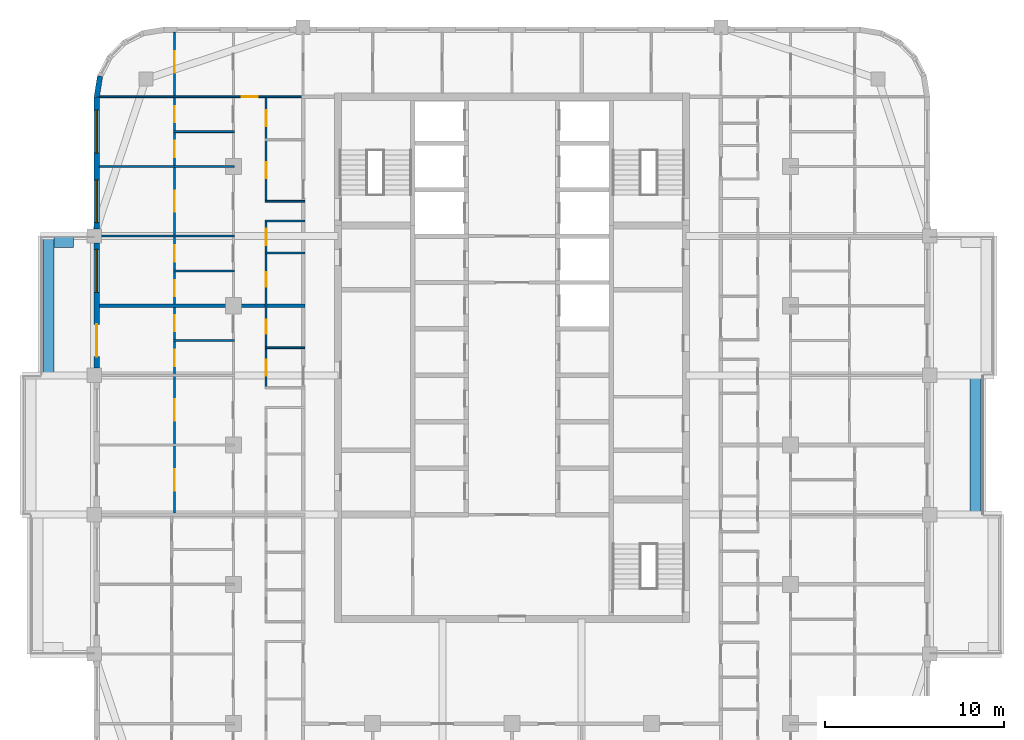
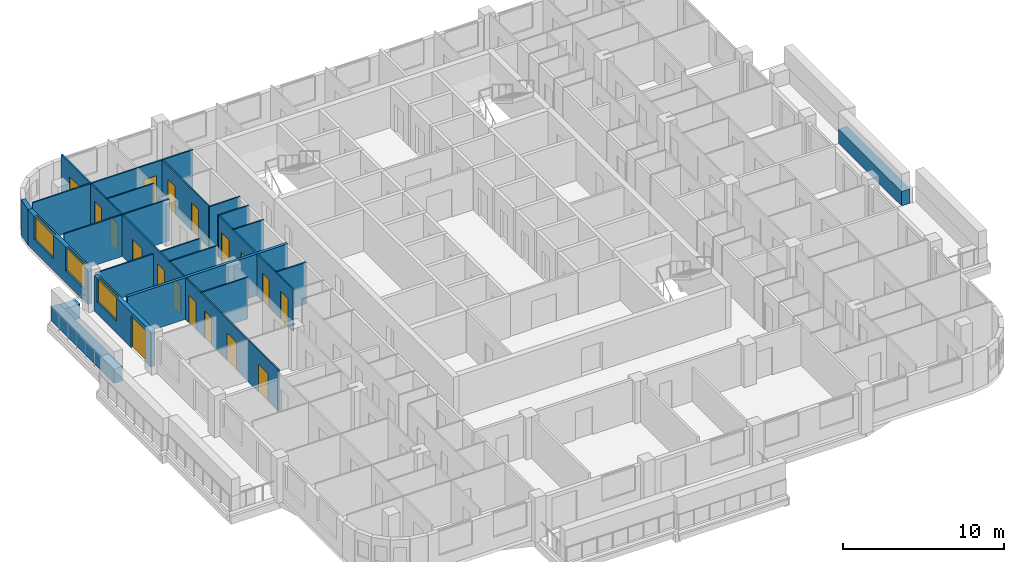
# One storey, part 8 of 16: 20 walls, 18 doors, 3 windows, 21 openings.
"""IFC4 building model written with IfcOpenShell, lengths in metres."""

import ifcopenshell
import ifcopenshell.guid

model = None  # the IFC model being written
_history = None  # IfcOwnerHistory: only IFC2X3 demands one
_inside = {}  # id of a spatial element -> (the spatial element, [elements in it])
_under = {}  # id of a project, library or spatial element -> (it, [spatial elements below it])
_declared = {}  # id of a project -> (the project, [libraries it declares])
_typed = {}  # id of a type object -> (the type object, [elements of that type])
_made_of = {}  # id of a material, layer set ... -> (it, [elements and type objects made of it])


def new_model(schema):
    """Start an empty IFC model of exactly this schema.

    Asked for "IFC4X3", IfcOpenShell would pick the latest addendum, in which some entities
    have other attributes; the version numbers below select the first issue.
    IFC2X3 requires an IfcOwnerHistory on every rooted entity: one is made here for all.
    """
    global model, _history
    if schema == "IFC4X3":
        model = ifcopenshell.file(schema_version=(4, 3, 0, 0))
    else:
        model = ifcopenshell.file(schema=schema)
    _inside.clear()
    _under.clear()
    _declared.clear()
    _typed.clear()
    _made_of.clear()
    _history = None
    if model.schema == "IFC2X3":
        org = make("IfcOrganization", Name="unknown")
        user = make(
            "IfcPersonAndOrganization",
            ThePerson=make("IfcPerson", FamilyName="unknown"),
            TheOrganization=org,
        )
        app = make(
            "IfcApplication",
            ApplicationDeveloper=org,
            Version="unknown",
            ApplicationFullName="unknown",
            ApplicationIdentifier="unknown",
        )
        _history = make(
            "IfcOwnerHistory",
            OwningUser=user,
            OwningApplication=app,
            ChangeAction="ADDED",
            CreationDate=0,
        )
    return model


def make(cls, **values):
    """One entity of the class cls with the attributes given. An attribute that is None is left unset."""
    return model.create_entity(
        cls, **{name: value for name, value in values.items() if value is not None}
    )


def rooted(cls, **values):
    """An entity with a GlobalId (a new one), such as an element, a storey or a relation."""
    return make(cls, GlobalId=ifcopenshell.guid.new(), OwnerHistory=_history, **values)


def si_unit(unit_type, name, prefix=None):
    """IfcSIUnit, for example si_unit("LENGTHUNIT", "METRE", prefix="MILLI")."""
    return make("IfcSIUnit", UnitType=unit_type, Prefix=prefix, Name=name)


def assignment(units):
    """IfcUnitAssignment: the units of a project."""
    return None if units is None else make("IfcUnitAssignment", Units=units)


def point(xyz):
    """IfcCartesianPoint."""
    return None if xyz is None else make("IfcCartesianPoint", Coordinates=xyz)


def direction(xyz):
    """IfcDirection."""
    return None if xyz is None else make("IfcDirection", DirectionRatios=xyz)


def frame(location, z_axis=None, x_axis=None):
    """IfcAxis2Placement3D, a coordinate frame: its origin and axes. An axis left out is left unset."""
    return make(
        "IfcAxis2Placement3D",
        Location=point(location),
        Axis=direction(z_axis),
        RefDirection=direction(x_axis),
    )


def frame_2d(location, x_axis=None):
    """IfcAxis2Placement2D, a coordinate frame in the plane: its origin and x axis."""
    return make(
        "IfcAxis2Placement2D", Location=point(location), RefDirection=direction(x_axis)
    )


def origin():
    """The frame at (0, 0, 0) with its axes left unset."""
    return frame((0.0, 0.0, 0.0))


def place(relative_to, where):
    """IfcLocalPlacement: puts the frame where relative to a parent placement (None: the world)."""
    return make(
        "IfcLocalPlacement", PlacementRelTo=relative_to, RelativePlacement=where
    )


def context(
    kind, dimensions, precision=None, world=None, true_north=None, identifier=None
):
    """IfcGeometricRepresentationContext, for example the 3D "Model" context."""
    return make(
        "IfcGeometricRepresentationContext",
        ContextIdentifier=identifier,
        ContextType=kind,
        CoordinateSpaceDimension=dimensions,
        Precision=precision,
        WorldCoordinateSystem=world,
        TrueNorth=true_north,
    )


def subcontext(parent, identifier, kind, view, scale=None):
    """IfcGeometricRepresentationSubContext, for example "Body" below "Model"."""
    return make(
        "IfcGeometricRepresentationSubContext",
        ContextIdentifier=identifier,
        ContextType=kind,
        ParentContext=parent,
        TargetScale=scale,
        TargetView=view,
    )


def project(units=None, contexts=None):
    """IfcProject with its units and contexts."""
    return rooted(
        "IfcProject",
        Name="project",
        RepresentationContexts=contexts,
        UnitsInContext=assignment(units),
    )


def spatial(cls, under=None, at=None, **own):
    """A site, building, storey or space (cls), placed at a placement, below another one or the project."""
    s = rooted(cls, ObjectPlacement=at, **own)
    if under is not None:
        _under.setdefault(under.id(), (under, []))[1].append(s)
    return s


def profile(cls, at=None, kind="AREA", **sizes):
    """A parametric profile (cls). Its sizes go by their IFC names, for example OverallWidth=200.0."""
    return make(cls, ProfileType=kind, Position=at, **sizes)


def rectangle(**sizes):
    """IfcRectangleProfileDef."""
    return profile("IfcRectangleProfileDef", **sizes)


def extrude(swept, where, along, depth):
    """IfcExtrudedAreaSolid: the profile swept, set in the frame where, extruded along a direction by depth."""
    return make(
        "IfcExtrudedAreaSolid",
        SweptArea=swept,
        Position=where,
        ExtrudedDirection=direction(along),
        Depth=depth,
    )


def shape(context_of_items, identifier, shape_type, items):
    """IfcShapeRepresentation: the items that make up one representation, for example the "Body"."""
    return make(
        "IfcShapeRepresentation",
        ContextOfItems=context_of_items,
        RepresentationIdentifier=identifier,
        RepresentationType=shape_type,
        Items=items,
    )


def material(Name=None, Category=None):
    """IfcMaterial."""
    return make("IfcMaterial", Name=Name, Category=Category)


def layer(
    of_material, thickness, ventilated=None, Name=None, Category=None, Priority=None
):
    """IfcMaterialLayer: one layer of a wall or slab, of a material (None: an air gap)."""
    return make(
        "IfcMaterialLayer",
        Material=of_material,
        LayerThickness=thickness,
        IsVentilated=ventilated,
        Name=Name,
        Category=Category,
        Priority=Priority,
    )


def layer_set(layers, Name=None):
    """IfcMaterialLayerSet."""
    return make("IfcMaterialLayerSet", MaterialLayers=layers, LayerSetName=Name)


def made_of(thing, what):
    """Note that an element or type object is made of a material, layer set ...; save() writes the relation."""
    if what is not None:
        _made_of.setdefault(what.id(), (what, []))[1].append(thing)
    return thing


def type_object(cls, material=None, **own):
    """A type object (cls), such as IfcWallType, which elements share."""
    return made_of(rooted(cls, **own), material)


def element(
    cls,
    number,
    at=None,
    inside=None,
    cuts=None,
    type_object=None,
    material=None,
    context=None,
    identifier="Body",
    shape_type=None,
    held_by="IfcProductDefinitionShape",
    body=None,
    shapes=None,
    **own,
):
    """One element of the class cls, such as IfcWall. Its Tag is "e" and its number.

    at: its placement. inside: the storey or other place that contains it. cuts: it is an
    opening in that element (IfcRelVoidsElement). A single representation is given by context,
    identifier, shape_type and body (its items); several are given by shapes. held_by: the class
    of the entity that holds the representations. save() writes the other relations.
    """
    e = rooted(cls, Tag="e%d" % number, ObjectPlacement=at, **own)
    if body is not None:
        shapes = [shape(context, identifier, shape_type, body)]
    if shapes is not None:
        e.Representation = make(held_by, Representations=shapes)
    if inside is not None:
        _inside.setdefault(inside.id(), (inside, []))[1].append(e)
    if cuts is not None:
        rooted(
            "IfcRelVoidsElement", RelatingBuildingElement=cuts, RelatedOpeningElement=e
        )
    if type_object is not None:
        _typed.setdefault(type_object.id(), (type_object, []))[1].append(e)
    return made_of(e, material)


def fill(opening, filler):
    """IfcRelFillsElement: the door or window that sits in an opening."""
    return rooted(
        "IfcRelFillsElement",
        RelatingOpeningElement=opening,
        RelatedBuildingElement=filler,
    )


def aggregate(whole, parts):
    """IfcRelAggregates: a whole, such as a stair, and the parts it consists of."""
    return rooted("IfcRelAggregates", RelatingObject=whole, RelatedObjects=parts)


def save(model, path):
    """Write the relations noted so far, then the file.

    IfcRelAggregates (storeys below a building ...), IfcRelContainedInSpatialStructure (elements
    in a storey), IfcRelDefinesByType, IfcRelAssociatesMaterial and IfcRelDeclares: one each for
    every whole, place, type object, material and project.
    """
    for whole, parts in _under.values():
        aggregate(whole, parts)
    for where, things in _inside.values():
        rooted(
            "IfcRelContainedInSpatialStructure",
            RelatedElements=things,
            RelatingStructure=where,
        )
    for kind, things in _typed.values():
        rooted("IfcRelDefinesByType", RelatedObjects=things, RelatingType=kind)
    for what, things in _made_of.values():
        rooted("IfcRelAssociatesMaterial", RelatedObjects=things, RelatingMaterial=what)
    for by, libraries in _declared.values():
        rooted("IfcRelDeclares", RelatingContext=by, RelatedDefinitions=libraries)
    model.write(path)


model = new_model("IFC4")

# Units and contexts
model_context = context("Model", 3, precision=1e-05, world=origin(), true_north=direction((0.0, 1.0)))
body_context = subcontext(model_context, "Body", "Model", "MODEL_VIEW")
ifc_project = project(units=[si_unit("LENGTHUNIT", "METRE"), si_unit("AREAUNIT", "SQUARE_METRE"), si_unit("VOLUMEUNIT", "CUBIC_METRE"), si_unit("PLANEANGLEUNIT", "RADIAN"), si_unit("MASSUNIT", "GRAM", prefix="KILO")], contexts=[model_context])

# Site, building, storey
site_placement = place(None, origin())
site = spatial("IfcSite", under=ifc_project, at=site_placement, CompositionType="ELEMENT")
building_placement = place(site_placement, origin())
building = spatial("IfcBuilding", under=site, at=building_placement, Name="Ludao Terraces", CompositionType="ELEMENT")
storey_placement = place(building_placement, frame((0.0, 0.0, 214.300048828125)))
storey = spatial("IfcBuildingStorey", under=building, at=storey_placement, Name="L58", CompositionType="ELEMENT", Elevation=214.300048828125)

# Walls
ifc_material_1 = material(Name="Concrete C40", Category="concrete")
ifc_layer_1 = layer(ifc_material_1, 0.60009765625)
ifc_layer_set_1 = layer_set([ifc_layer_1], Name="ENV Planter trough 600")
wall_type_1 = type_object("IfcWallType", Name="ENV Planter trough 600", PredefinedType="USERDEFINED", material=ifc_layer_set_1)
wall_1_placement = place(storey_placement, frame((110.949951171875, 61.10009765625, 0.0), z_axis=(0.0, 0.0, 1.0), x_axis=(0.0, 1.0, 0.0)))
element("IfcWall", 1, at=wall_1_placement, inside=storey, type_object=wall_type_1, Name="PL-L58-E2", ObjectType="PLANTER", PredefinedType="USERDEFINED", context=body_context, shape_type="SweptSolid", body=[
    extrude(rectangle(XDim=7.7998046875, YDim=0.60009765625, at=frame_2d((3.89990234375, 0.0))), origin(), (0.0, 0.0, 1.0), 1.099853515625),
])
wall_2_placement = place(storey_placement, frame((59.050048828125, 68.89990234375, 0.0), z_axis=(0.0, 0.0, 1.0), x_axis=(0.0, 1.0, 0.0)))
element("IfcWall", 2, at=wall_2_placement, inside=storey, type_object=wall_type_1, Name="PL-L58-W3", ObjectType="PLANTER", PredefinedType="USERDEFINED", context=body_context, shape_type="SweptSolid", body=[
    extrude(rectangle(XDim=7.800048828125, YDim=0.60009765625, at=frame_2d((3.89990234375, 0.0))), origin(), (0.0, 0.0, 1.0), 1.099853515625),
])
wall_3_placement = place(storey_placement, frame((59.35009765625, 76.35009765625, 0.0), z_axis=(0.0, 0.0, 1.0), x_axis=(1.0, 0.0, 0.0)))
element("IfcWall", 3, at=wall_3_placement, inside=storey, type_object=wall_type_1, Name="PL-L58-W3-SB", ObjectType="PLANTER", PredefinedType="USERDEFINED", context=body_context, shape_type="SweptSolid", body=[
    extrude(rectangle(XDim=1.099853515625, YDim=0.60009765625, at=frame_2d((0.5498046875, 0.0))), origin(), (0.0, 0.0, 1.0), 1.099853515625),
])

# Wall, openings, door, window
ifc_material_2 = material(Name="Granite cladding", Category="masonry")
ifc_layer_2 = layer(ifc_material_2, 0.0400390625, Category="stone")
ifc_material_3 = material(Name="Mineral wool")
ifc_layer_3 = layer(ifc_material_3, 0.06005859375)
ifc_layer_4 = layer(ifc_material_1, 0.199951171875, Category="concrete")
ifc_layer_set_2 = layer_set([ifc_layer_2, ifc_layer_3, ifc_layer_4], Name="ENV Stone-clad wall 300")
wall_type_2 = type_object("IfcWallType", Name="ENV Stone-clad wall 300", PredefinedType="SOLIDWALL", material=ifc_layer_set_2)
wall_4_placement = place(storey_placement, frame((61.75, 69.300048828125, 0.0), z_axis=(0.0, 0.0, 1.0), x_axis=(0.0, 1.0, 0.0)))
wall_4 = element("IfcWall", 4, at=wall_4_placement, inside=storey, type_object=wall_type_2, Name="EW-L58-W4", PredefinedType="SOLIDWALL", context=body_context, shape_type="SweptSolid", body=[
    extrude(rectangle(XDim=7.0, YDim=0.300048828125, at=frame_2d((3.5, 0.0))), origin(), (0.0, 0.0, 1.0), 2.699951171875),
])
opening_1_placement = place(wall_4_placement, frame((0.64990234375, 0.0, 0.0)))
opening_1 = element("IfcOpeningElement", 5, at=opening_1_placement, cuts=wall_4, Name="Opening BD", PredefinedType="OPENING", context=body_context, shape_type="SweptSolid", body=[
    extrude(rectangle(XDim=1.800048828125, YDim=2.39990234375, at=frame_2d((0.89990234375, 1.199951171875))), frame((0.0, 0.16015625, 0.0), z_axis=(0.0, -1.0, 0.0), x_axis=(1.0, 0.0, 0.0)), (0.0, 0.0, 1.0), 0.320068359375),
])
opening_2_placement = place(wall_4_placement, frame((4.25, 0.0, 0.89990234375)))
opening_2 = element("IfcOpeningElement", 6, at=opening_2_placement, cuts=wall_4, Name="Opening W1", PredefinedType="OPENING", context=body_context, shape_type="SweptSolid", body=[
    extrude(rectangle(XDim=2.39990234375, YDim=1.800048828125, at=frame_2d((1.199951171875, 0.89990234375))), frame((0.0, 0.16015625, 0.0), z_axis=(0.0, -1.0, 0.0), x_axis=(1.0, 0.0, 0.0)), (0.0, 0.0, 1.0), 0.320068359375),
])
ifc_material_4 = material(Name="Aluminium glazed door", Category="aluminium")
ifc_layer_5 = layer(ifc_material_4, 0.06005859375)
ifc_layer_set_3 = layer_set([ifc_layer_5], Name="ENV Balcony door BD 1800x2400")
door_type_1 = type_object("IfcDoorType", Name="ENV Balcony door BD 1800x2400", OperationType="DOUBLE_DOOR_SINGLE_SWING", PredefinedType="DOOR", material=ifc_layer_set_3)
door_1_placement = place(opening_1_placement, origin())
door_1 = element("IfcDoor", 7, at=door_1_placement, inside=storey, type_object=door_type_1, Name="BD-L58-W4-1", OperationType="DOUBLE_DOOR_SINGLE_SWING", OverallHeight=2.39990234375, OverallWidth=1.800048828125, PredefinedType="DOOR", context=body_context, shape_type="SweptSolid", body=[
    extrude(rectangle(XDim=1.800048828125, YDim=2.39990234375, at=frame_2d((0.89990234375, 1.199951171875))), frame((0.0, 0.02490234375, 0.0), z_axis=(0.0, -1.0, 0.0), x_axis=(1.0, 0.0, 0.0)), (0.0, 0.0, 1.0), 0.050048828125),
])
fill(opening_1, door_1)
ifc_material_5 = material(Name="Clear glass in aluminium frame", Category="aluminium")
ifc_layer_6 = layer(ifc_material_5, 0.06005859375)
ifc_layer_set_4 = layer_set([ifc_layer_6], Name="ENV Window W1 2400x1800")
window_type = type_object("IfcWindowType", Name="ENV Window W1 2400x1800", PartitioningType="DOUBLE_PANEL_VERTICAL", PredefinedType="WINDOW", material=ifc_layer_set_4)
window_1_placement = place(opening_2_placement, origin())
window_1 = element("IfcWindow", 8, at=window_1_placement, inside=storey, type_object=window_type, Name="W-L58-W4-2", OverallHeight=1.800048828125, OverallWidth=2.39990234375, PartitioningType="DOUBLE_PANEL_VERTICAL", PredefinedType="WINDOW", context=body_context, shape_type="SweptSolid", body=[
    extrude(rectangle(XDim=2.39990234375, YDim=1.800048828125, at=frame_2d((1.199951171875, 0.89990234375))), frame((0.0, 0.030029296875, 0.0), z_axis=(0.0, -1.0, 0.0), x_axis=(1.0, 0.0, 0.0)), (0.0, 0.0, 1.0), 0.06005859375),
])
fill(opening_2, window_1)

# Wall, openings, windows
wall_5_placement = place(storey_placement, frame((61.75, 77.10009765625, 0.0), z_axis=(0.0, 0.0, 1.0), x_axis=(0.0, 1.0, 0.0)))
wall_5 = element("IfcWall", 9, at=wall_5_placement, inside=storey, type_object=wall_type_2, Name="EW-L58-W5", PredefinedType="SOLIDWALL", context=body_context, shape_type="SweptSolid", body=[
    extrude(rectangle(XDim=7.39990234375, YDim=0.300048828125, at=frame_2d((3.699951171875, 0.0))), origin(), (0.0, 0.0, 1.0), 2.699951171875),
])
opening_3_placement = place(wall_5_placement, frame((0.35009765625, 0.0, 0.89990234375)))
opening_3 = element("IfcOpeningElement", 10, at=opening_3_placement, cuts=wall_5, Name="Opening W1", PredefinedType="OPENING", context=body_context, shape_type="SweptSolid", body=[
    extrude(rectangle(XDim=2.39990234375, YDim=1.800048828125, at=frame_2d((1.199951171875, 0.89990234375))), frame((0.0, 0.16015625, 0.0), z_axis=(0.0, -1.0, 0.0), x_axis=(1.0, 0.0, 0.0)), (0.0, 0.0, 1.0), 0.320068359375),
])
opening_4_placement = place(wall_5_placement, frame((4.25, 0.0, 0.89990234375)))
opening_4 = element("IfcOpeningElement", 11, at=opening_4_placement, cuts=wall_5, Name="Opening W1", PredefinedType="OPENING", context=body_context, shape_type="SweptSolid", body=[
    extrude(rectangle(XDim=2.39990234375, YDim=1.800048828125, at=frame_2d((1.199951171875, 0.89990234375))), frame((0.0, 0.16015625, 0.0), z_axis=(0.0, -1.0, 0.0), x_axis=(1.0, 0.0, 0.0)), (0.0, 0.0, 1.0), 0.320068359375),
])
window_2_placement = place(opening_3_placement, origin())
window_2 = element("IfcWindow", 12, at=window_2_placement, inside=storey, type_object=window_type, Name="W-L58-W5-1", OverallHeight=1.800048828125, OverallWidth=2.39990234375, PartitioningType="DOUBLE_PANEL_VERTICAL", PredefinedType="WINDOW", context=body_context, shape_type="SweptSolid", body=[
    extrude(rectangle(XDim=2.39990234375, YDim=1.800048828125, at=frame_2d((1.199951171875, 0.89990234375))), frame((0.0, 0.030029296875, 0.0), z_axis=(0.0, -1.0, 0.0), x_axis=(1.0, 0.0, 0.0)), (0.0, 0.0, 1.0), 0.06005859375),
])
fill(opening_3, window_2)
window_3_placement = place(opening_4_placement, origin())
window_3 = element("IfcWindow", 13, at=window_3_placement, inside=storey, type_object=window_type, Name="W-L58-W5-2", OverallHeight=1.800048828125, OverallWidth=2.39990234375, PartitioningType="DOUBLE_PANEL_VERTICAL", PredefinedType="WINDOW", context=body_context, shape_type="SweptSolid", body=[
    extrude(rectangle(XDim=2.39990234375, YDim=1.800048828125, at=frame_2d((1.199951171875, 0.89990234375))), frame((0.0, 0.030029296875, 0.0), z_axis=(0.0, -1.0, 0.0), x_axis=(1.0, 0.0, 0.0)), (0.0, 0.0, 1.0), 0.06005859375),
])
fill(opening_4, window_3)

# Walls
wall_6_placement = place(storey_placement, frame((61.93359375, 85.65869140625, 0.0), z_axis=(0.0, 0.0, 1.0), x_axis=(-0.156496880861, -0.987678452879, 0.0)))
element("IfcWall", 14, at=wall_6_placement, inside=storey, type_object=wall_type_2, Name="EW-L58-NW5", PredefinedType="SOLIDWALL", context=body_context, shape_type="SweptSolid", body=[
    extrude(rectangle(XDim=1.173095703125, YDim=0.300048828125, at=frame_2d((0.58642578125, 0.0))), origin(), (0.0, 0.0, 1.0), 2.699951171875),
])
ifc_material_6 = material(Name="Gypsum plasterboard", Category="gypsum")
ifc_layer_7 = layer(ifc_material_6, 0.012451171875, Category="gypsum")
ifc_layer_8 = layer(ifc_material_3, 0.06005859375, Name="insulation")
ifc_material_7 = material(Name="Steel Q235", Category="steel")
ifc_layer_9 = layer(ifc_material_7, 0.014892578125, Name="stud")
ifc_layer_10 = layer(ifc_material_6, 0.012451171875, Category="gypsum")
ifc_layer_set_5 = layer_set([ifc_layer_7, ifc_layer_8, ifc_layer_9, ifc_layer_10], Name="INT Partition 100")
wall_type_3 = type_object("IfcWallType", Name="INT Partition 100", PredefinedType="PARTITIONING", material=ifc_layer_set_5)
wall_7_placement = place(storey_placement, frame((71.18017578125, 70.449951171875, 0.0), z_axis=(0.0, 0.0, 1.0), x_axis=(1.0, 0.0, 0.0)))
element("IfcWall", 15, at=wall_7_placement, inside=storey, type_object=wall_type_3, Name="PW-L58-PW041", PredefinedType="PARTITIONING", context=body_context, shape_type="SweptSolid", body=[
    extrude(rectangle(XDim=2.219970703125, YDim=0.10009765625, at=frame_2d((1.10986328125, 0.0))), origin(), (0.0, 0.0, 1.0), 3.14990234375),
])
for number, where, z_axis, x_axis, name in (
    (16, (66.050048828125, 70.85009765625, 0.0), (0.0, 0.0, 1.0), (1.0, 0.0, 0.0), "PW-L58-PW042"),
    (17, (66.050048828125, 74.75, 0.0), (0.0, 0.0, 1.0), (1.0, 0.0, 0.0), "PW-L58-PW049"),
):
    element("IfcWall", number, at=place(storey_placement, frame(where, z_axis=z_axis, x_axis=x_axis)), inside=storey, type_object=wall_type_3, Name=name, PredefinedType="PARTITIONING", context=body_context, shape_type="SweptSolid", body=[
        extrude(rectangle(XDim=3.400146484375, YDim=0.10009765625, at=frame_2d((1.7001953125, 0.0))), origin(), (0.0, 0.0, 1.0), 3.14990234375),
    ])
wall_8_placement = place(storey_placement, frame((71.18017578125, 75.75, 0.0), z_axis=(0.0, 0.0, 1.0), x_axis=(1.0, 0.0, 0.0)))
element("IfcWall", 18, at=wall_8_placement, inside=storey, type_object=wall_type_3, Name="PW-L58-PW051", PredefinedType="PARTITIONING", context=body_context, shape_type="SweptSolid", body=[
    extrude(rectangle(XDim=2.219970703125, YDim=0.10009765625, at=frame_2d((1.10986328125, 0.0))), origin(), (0.0, 0.0, 1.0), 3.14990234375),
])
wall_9_placement = place(storey_placement, frame((61.900146484375, 76.699951171875, 0.0), z_axis=(0.0, 0.0, 1.0), x_axis=(1.0, 0.0, 0.0)))
element("IfcWall", 19, at=wall_9_placement, inside=storey, type_object=wall_type_3, Name="PW-L58-PW052", PredefinedType="PARTITIONING", context=body_context, shape_type="SweptSolid", body=[
    extrude(rectangle(XDim=7.550048828125, YDim=0.10009765625, at=frame_2d((3.77490234375, 0.0))), origin(), (0.0, 0.0, 1.0), 2.5498046875),
])
for number, where, z_axis, x_axis, name in (
    (20, (71.18017578125, 77.550048828125, 0.0), (0.0, 0.0, 1.0), (1.0, 0.0, 0.0), "PW-L58-PW055"),
    (21, (71.18017578125, 78.64990234375, 0.0), (0.0, 0.0, 1.0), (1.0, 0.0, 0.0), "PW-L58-PW056"),
):
    element("IfcWall", number, at=place(storey_placement, frame(where, z_axis=z_axis, x_axis=x_axis)), inside=storey, type_object=wall_type_3, Name=name, PredefinedType="PARTITIONING", context=body_context, shape_type="SweptSolid", body=[
        extrude(rectangle(XDim=2.219970703125, YDim=0.10009765625, at=frame_2d((1.10986328125, 0.0))), origin(), (0.0, 0.0, 1.0), 3.14990234375),
    ])
wall_10_placement = place(storey_placement, frame((61.900146484375, 80.60009765625, 0.0), z_axis=(0.0, 0.0, 1.0), x_axis=(1.0, 0.0, 0.0)))
element("IfcWall", 22, at=wall_10_placement, inside=storey, type_object=wall_type_3, Name="PW-L58-PW059", PredefinedType="PARTITIONING", context=body_context, shape_type="SweptSolid", body=[
    extrude(rectangle(XDim=7.550048828125, YDim=0.10009765625, at=frame_2d((3.77490234375, 0.0))), origin(), (0.0, 0.0, 1.0), 3.14990234375),
])
wall_11_placement = place(storey_placement, frame((66.050048828125, 82.550048828125, 0.0), z_axis=(0.0, 0.0, 1.0), x_axis=(1.0, 0.0, 0.0)))
element("IfcWall", 23, at=wall_11_placement, inside=storey, type_object=wall_type_3, Name="PW-L58-PW063", PredefinedType="PARTITIONING", context=body_context, shape_type="SweptSolid", body=[
    extrude(rectangle(XDim=3.400146484375, YDim=0.10009765625, at=frame_2d((1.7001953125, 0.0))), origin(), (0.0, 0.0, 1.0), 3.14990234375),
])

# Wall, opening, door
wall_12_placement = place(storey_placement, frame((61.900146484375, 84.5, 0.0), z_axis=(0.0, 0.0, 1.0), x_axis=(1.0, 0.0, 0.0)))
wall_12 = element("IfcWall", 24, at=wall_12_placement, inside=storey, type_object=wall_type_3, Name="PW-L58-PW066", PredefinedType="PARTITIONING", context=body_context, shape_type="SweptSolid", body=[
    extrude(rectangle(XDim=11.5, YDim=0.10009765625, at=frame_2d((5.75, 0.0))), origin(), (0.0, 0.0, 1.0), 3.14990234375),
])
opening_5_placement = place(wall_12_placement, frame((7.965087890625, 0.0, 0.0)))
opening_5 = element("IfcOpeningElement", 25, at=opening_5_placement, cuts=wall_12, Name="Opening R21-133", PredefinedType="OPENING", context=body_context, shape_type="SweptSolid", body=[
    extrude(rectangle(XDim=0.89990234375, YDim=2.10009765625, at=frame_2d((0.449951171875, 1.050048828125))), frame((0.0, 0.06005859375, 0.0), z_axis=(0.0, -1.0, 0.0), x_axis=(1.0, 0.0, 0.0)), (0.0, 0.0, 1.0), 0.1201171875),
])
ifc_material_8 = material(Name="Timber door leaf", Category="wood")
door_type_2 = type_object("IfcDoorType", Name="INT Room door 900", OperationType="SINGLE_SWING_LEFT", PredefinedType="DOOR", material=ifc_material_8)
door_2_placement = place(opening_5_placement, origin())
door_2 = element("IfcDoor", 26, at=door_2_placement, inside=storey, type_object=door_type_2, Name="DOOR 133", OperationType="SINGLE_SWING_RIGHT", OverallHeight=2.10009765625, OverallWidth=0.89990234375, PredefinedType="DOOR", context=body_context, shape_type="SweptSolid", body=[
    extrude(rectangle(XDim=0.89990234375, YDim=2.10009765625, at=frame_2d((0.449951171875, 1.050048828125))), frame((0.0, 0.02490234375, 0.0), z_axis=(0.0, -1.0, 0.0), x_axis=(1.0, 0.0, 0.0)), (0.0, 0.0, 1.0), 0.050048828125),
])
fill(opening_5, door_2)

# Wall, openings, doors
wall_13_placement = place(storey_placement, frame((66.10009765625, 61.2001953125, 0.0), z_axis=(0.0, 0.0, 1.0), x_axis=(0.0, 1.0, 0.0)))
wall_13 = element("IfcWall", 27, at=wall_13_placement, inside=storey, type_object=wall_type_3, Name="PW-L58-PW071", PredefinedType="PARTITIONING", context=body_context, shape_type="SweptSolid", body=[
    extrude(rectangle(XDim=26.89990234375, YDim=0.10009765625, at=frame_2d((13.449951171875, 0.0))), origin(), (0.0, 0.0, 1.0), 3.14990234375),
])
opening_6_placement = place(wall_13_placement, frame((1.25, 0.0, 0.0)))
opening_6 = element("IfcOpeningElement", 28, at=opening_6_placement, cuts=wall_13, Name="Opening R21-057", PredefinedType="OPENING", context=body_context, shape_type="SweptSolid", body=[
    extrude(rectangle(XDim=1.199951171875, YDim=2.10009765625, at=frame_2d((0.60009765625, 1.050048828125))), frame((0.0, 0.06005859375, 0.0), z_axis=(0.0, -1.0, 0.0), x_axis=(1.0, 0.0, 0.0)), (0.0, 0.0, 1.0), 0.1201171875),
])
opening_7_placement = place(wall_13_placement, frame((5.14990234375, 0.0, 0.0)))
opening_7 = element("IfcOpeningElement", 29, at=opening_7_placement, cuts=wall_13, Name="Opening R21-068", PredefinedType="OPENING", context=body_context, shape_type="SweptSolid", body=[
    extrude(rectangle(XDim=1.199951171875, YDim=2.10009765625, at=frame_2d((0.60009765625, 1.050048828125))), frame((0.0, 0.06005859375, 0.0), z_axis=(0.0, -1.0, 0.0), x_axis=(1.0, 0.0, 0.0)), (0.0, 0.0, 1.0), 0.1201171875),
])
opening_8_placement = place(wall_13_placement, frame((8.224853515625, 0.0, 0.0)))
opening_8 = element("IfcOpeningElement", 30, at=opening_8_placement, cuts=wall_13, Name="Opening R21-078", PredefinedType="OPENING", context=body_context, shape_type="SweptSolid", body=[
    extrude(rectangle(XDim=0.89990234375, YDim=2.10009765625, at=frame_2d((0.449951171875, 1.050048828125))), frame((0.0, 0.06005859375, 0.0), z_axis=(0.0, -1.0, 0.0), x_axis=(1.0, 0.0, 0.0)), (0.0, 0.0, 1.0), 0.1201171875),
])
opening_9_placement = place(wall_13_placement, frame((10.1748046875, 0.0, 0.0)))
opening_9 = element("IfcOpeningElement", 31, at=opening_9_placement, cuts=wall_13, Name="Opening R21-087", PredefinedType="OPENING", context=body_context, shape_type="SweptSolid", body=[
    extrude(rectangle(XDim=0.89990234375, YDim=2.10009765625, at=frame_2d((0.449951171875, 1.050048828125))), frame((0.0, 0.06005859375, 0.0), z_axis=(0.0, -1.0, 0.0), x_axis=(1.0, 0.0, 0.0)), (0.0, 0.0, 1.0), 0.1201171875),
])
opening_10_placement = place(wall_13_placement, frame((12.125, 0.0, 0.0)))
opening_10 = element("IfcOpeningElement", 32, at=opening_10_placement, cuts=wall_13, Name="Opening R21-092", PredefinedType="OPENING", context=body_context, shape_type="SweptSolid", body=[
    extrude(rectangle(XDim=0.89990234375, YDim=2.10009765625, at=frame_2d((0.449951171875, 1.050048828125))), frame((0.0, 0.06005859375, 0.0), z_axis=(0.0, -1.0, 0.0), x_axis=(1.0, 0.0, 0.0)), (0.0, 0.0, 1.0), 0.1201171875),
])
opening_11_placement = place(wall_13_placement, frame((14.074951171875, 0.0, 0.0)))
opening_11 = element("IfcOpeningElement", 33, at=opening_11_placement, cuts=wall_13, Name="Opening R21-101", PredefinedType="OPENING", context=body_context, shape_type="SweptSolid", body=[
    extrude(rectangle(XDim=0.89990234375, YDim=2.10009765625, at=frame_2d((0.449951171875, 1.050048828125))), frame((0.0, 0.06005859375, 0.0), z_axis=(0.0, -1.0, 0.0), x_axis=(1.0, 0.0, 0.0)), (0.0, 0.0, 1.0), 0.1201171875),
])
opening_12_placement = place(wall_13_placement, frame((16.849853515625, 0.0, 0.0)))
opening_12 = element("IfcOpeningElement", 34, at=opening_12_placement, cuts=wall_13, Name="Opening R21-112", PredefinedType="OPENING", context=body_context, shape_type="SweptSolid", body=[
    extrude(rectangle(XDim=1.199951171875, YDim=2.10009765625, at=frame_2d((0.60009765625, 1.050048828125))), frame((0.0, 0.06005859375, 0.0), z_axis=(0.0, -1.0, 0.0), x_axis=(1.0, 0.0, 0.0)), (0.0, 0.0, 1.0), 0.1201171875),
])
opening_13_placement = place(wall_13_placement, frame((19.9248046875, 0.0, 0.0)))
opening_13 = element("IfcOpeningElement", 35, at=opening_13_placement, cuts=wall_13, Name="Opening R21-122", PredefinedType="OPENING", context=body_context, shape_type="SweptSolid", body=[
    extrude(rectangle(XDim=0.89990234375, YDim=2.10009765625, at=frame_2d((0.449951171875, 1.050048828125))), frame((0.0, 0.06005859375, 0.0), z_axis=(0.0, -1.0, 0.0), x_axis=(1.0, 0.0, 0.0)), (0.0, 0.0, 1.0), 0.1201171875),
])
opening_14_placement = place(wall_13_placement, frame((21.875, 0.0, 0.0)))
opening_14 = element("IfcOpeningElement", 36, at=opening_14_placement, cuts=wall_13, Name="Opening R21-128", PredefinedType="OPENING", context=body_context, shape_type="SweptSolid", body=[
    extrude(rectangle(XDim=0.89990234375, YDim=2.10009765625, at=frame_2d((0.449951171875, 1.050048828125))), frame((0.0, 0.06005859375, 0.0), z_axis=(0.0, -1.0, 0.0), x_axis=(1.0, 0.0, 0.0)), (0.0, 0.0, 1.0), 0.1201171875),
])
opening_15_placement = place(wall_13_placement, frame((24.64990234375, 0.0, 0.0)))
opening_15 = element("IfcOpeningElement", 37, at=opening_15_placement, cuts=wall_13, Name="Opening R21-135", PredefinedType="OPENING", context=body_context, shape_type="SweptSolid", body=[
    extrude(rectangle(XDim=1.199951171875, YDim=2.10009765625, at=frame_2d((0.60009765625, 1.050048828125))), frame((0.0, 0.06005859375, 0.0), z_axis=(0.0, -1.0, 0.0), x_axis=(1.0, 0.0, 0.0)), (0.0, 0.0, 1.0), 0.1201171875),
])
door_type_3 = type_object("IfcDoorType", Name="INT Bathroom door 900", OperationType="SINGLE_SWING_LEFT", PredefinedType="DOOR", material=ifc_material_8)
door_3_placement = place(opening_8_placement, origin())
door_3 = element("IfcDoor", 38, at=door_3_placement, inside=storey, type_object=door_type_3, Name="DOOR 078", OperationType="SINGLE_SWING_RIGHT", OverallHeight=2.10009765625, OverallWidth=0.89990234375, PredefinedType="DOOR", context=body_context, shape_type="SweptSolid", body=[
    extrude(rectangle(XDim=0.89990234375, YDim=2.10009765625, at=frame_2d((0.449951171875, 1.050048828125))), frame((0.0, 0.02490234375, 0.0), z_axis=(0.0, -1.0, 0.0), x_axis=(1.0, 0.0, 0.0)), (0.0, 0.0, 1.0), 0.050048828125),
])
fill(opening_8, door_3)
door_4_placement = place(opening_10_placement, origin())
door_4 = element("IfcDoor", 39, at=door_4_placement, inside=storey, type_object=door_type_3, Name="DOOR 092", OperationType="SINGLE_SWING_RIGHT", OverallHeight=2.10009765625, OverallWidth=0.89990234375, PredefinedType="DOOR", context=body_context, shape_type="SweptSolid", body=[
    extrude(rectangle(XDim=0.89990234375, YDim=2.10009765625, at=frame_2d((0.449951171875, 1.050048828125))), frame((0.0, 0.02490234375, 0.0), z_axis=(0.0, -1.0, 0.0), x_axis=(1.0, 0.0, 0.0)), (0.0, 0.0, 1.0), 0.050048828125),
])
fill(opening_10, door_4)
door_5_placement = place(opening_13_placement, origin())
door_5 = element("IfcDoor", 40, at=door_5_placement, inside=storey, type_object=door_type_3, Name="DOOR 122", OperationType="SINGLE_SWING_LEFT", OverallHeight=2.10009765625, OverallWidth=0.89990234375, PredefinedType="DOOR", context=body_context, shape_type="SweptSolid", body=[
    extrude(rectangle(XDim=0.89990234375, YDim=2.10009765625, at=frame_2d((0.449951171875, 1.050048828125))), frame((0.0, 0.02490234375, 0.0), z_axis=(0.0, -1.0, 0.0), x_axis=(1.0, 0.0, 0.0)), (0.0, 0.0, 1.0), 0.050048828125),
])
fill(opening_13, door_5)
door_type_4 = type_object("IfcDoorType", Name="INT Double door 1200", OperationType="DOUBLE_DOOR_SINGLE_SWING", PredefinedType="DOOR", material=ifc_material_8)
door_6_placement = place(opening_6_placement, origin())
door_6 = element("IfcDoor", 41, at=door_6_placement, inside=storey, type_object=door_type_4, Name="DOOR 057", OperationType="DOUBLE_DOOR_SINGLE_SWING", OverallHeight=2.10009765625, OverallWidth=1.199951171875, PredefinedType="DOOR", context=body_context, shape_type="SweptSolid", body=[
    extrude(rectangle(XDim=1.199951171875, YDim=2.10009765625, at=frame_2d((0.60009765625, 1.050048828125))), frame((0.0, 0.02490234375, 0.0), z_axis=(0.0, -1.0, 0.0), x_axis=(1.0, 0.0, 0.0)), (0.0, 0.0, 1.0), 0.050048828125),
])
fill(opening_6, door_6)
door_7_placement = place(opening_7_placement, origin())
door_7 = element("IfcDoor", 42, at=door_7_placement, inside=storey, type_object=door_type_4, Name="DOOR 068", OperationType="DOUBLE_DOOR_SINGLE_SWING", OverallHeight=2.10009765625, OverallWidth=1.199951171875, PredefinedType="DOOR", context=body_context, shape_type="SweptSolid", body=[
    extrude(rectangle(XDim=1.199951171875, YDim=2.10009765625, at=frame_2d((0.60009765625, 1.050048828125))), frame((0.0, 0.02490234375, 0.0), z_axis=(0.0, -1.0, 0.0), x_axis=(1.0, 0.0, 0.0)), (0.0, 0.0, 1.0), 0.050048828125),
])
fill(opening_7, door_7)
door_8_placement = place(opening_12_placement, origin())
door_8 = element("IfcDoor", 43, at=door_8_placement, inside=storey, type_object=door_type_4, Name="DOOR 112", OperationType="DOUBLE_DOOR_SINGLE_SWING", OverallHeight=2.10009765625, OverallWidth=1.199951171875, PredefinedType="DOOR", context=body_context, shape_type="SweptSolid", body=[
    extrude(rectangle(XDim=1.199951171875, YDim=2.10009765625, at=frame_2d((0.60009765625, 1.050048828125))), frame((0.0, 0.02490234375, 0.0), z_axis=(0.0, -1.0, 0.0), x_axis=(1.0, 0.0, 0.0)), (0.0, 0.0, 1.0), 0.050048828125),
])
fill(opening_12, door_8)
door_9_placement = place(opening_15_placement, origin())
door_9 = element("IfcDoor", 44, at=door_9_placement, inside=storey, type_object=door_type_4, Name="DOOR 135", OperationType="DOUBLE_DOOR_SINGLE_SWING", OverallHeight=2.10009765625, OverallWidth=1.199951171875, PredefinedType="DOOR", context=body_context, shape_type="SweptSolid", body=[
    extrude(rectangle(XDim=1.199951171875, YDim=2.10009765625, at=frame_2d((0.60009765625, 1.050048828125))), frame((0.0, 0.02490234375, 0.0), z_axis=(0.0, -1.0, 0.0), x_axis=(1.0, 0.0, 0.0)), (0.0, 0.0, 1.0), 0.050048828125),
])
fill(opening_15, door_9)
door_10_placement = place(opening_9_placement, origin())
door_10 = element("IfcDoor", 45, at=door_10_placement, inside=storey, type_object=door_type_2, Name="DOOR 087", OperationType="SINGLE_SWING_RIGHT", OverallHeight=2.10009765625, OverallWidth=0.89990234375, PredefinedType="DOOR", context=body_context, shape_type="SweptSolid", body=[
    extrude(rectangle(XDim=0.89990234375, YDim=2.10009765625, at=frame_2d((0.449951171875, 1.050048828125))), frame((0.0, 0.02490234375, 0.0), z_axis=(0.0, -1.0, 0.0), x_axis=(1.0, 0.0, 0.0)), (0.0, 0.0, 1.0), 0.050048828125),
])
fill(opening_9, door_10)
door_11_placement = place(opening_11_placement, origin())
door_11 = element("IfcDoor", 46, at=door_11_placement, inside=storey, type_object=door_type_2, Name="DOOR 101", OperationType="SINGLE_SWING_RIGHT", OverallHeight=2.10009765625, OverallWidth=0.89990234375, PredefinedType="DOOR", context=body_context, shape_type="SweptSolid", body=[
    extrude(rectangle(XDim=0.89990234375, YDim=2.10009765625, at=frame_2d((0.449951171875, 1.050048828125))), frame((0.0, 0.02490234375, 0.0), z_axis=(0.0, -1.0, 0.0), x_axis=(1.0, 0.0, 0.0)), (0.0, 0.0, 1.0), 0.050048828125),
])
fill(opening_11, door_11)
door_12_placement = place(opening_14_placement, origin())
door_12 = element("IfcDoor", 47, at=door_12_placement, inside=storey, type_object=door_type_2, Name="DOOR 128", OperationType="SINGLE_SWING_RIGHT", OverallHeight=2.10009765625, OverallWidth=0.89990234375, PredefinedType="DOOR", context=body_context, shape_type="SweptSolid", body=[
    extrude(rectangle(XDim=0.89990234375, YDim=2.10009765625, at=frame_2d((0.449951171875, 1.050048828125))), frame((0.0, 0.02490234375, 0.0), z_axis=(0.0, -1.0, 0.0), x_axis=(1.0, 0.0, 0.0)), (0.0, 0.0, 1.0), 0.050048828125),
])
fill(opening_14, door_12)

wall_14_placement = place(storey_placement, frame((71.22998046875, 68.25, 0.0), z_axis=(0.0, 0.0, 1.0), x_axis=(0.0, 1.0, 0.0)))
wall_14 = element("IfcWall", 48, at=wall_14_placement, inside=storey, type_object=wall_type_3, Name="PW-L58-PW075", PredefinedType="PARTITIONING", context=body_context, shape_type="SweptSolid", body=[
    extrude(rectangle(XDim=9.25, YDim=0.10009765625, at=frame_2d((4.625, 0.0))), origin(), (0.0, 0.0, 1.0), 3.14990234375),
])
opening_16_placement = place(wall_14_placement, frame((0.625, 0.0, 0.0)))
opening_16 = element("IfcOpeningElement", 49, at=opening_16_placement, cuts=wall_14, Name="Opening R21-077", PredefinedType="OPENING", context=body_context, shape_type="SweptSolid", body=[
    extrude(rectangle(XDim=0.89990234375, YDim=2.10009765625, at=frame_2d((0.449951171875, 1.050048828125))), frame((0.0, 0.06005859375, 0.0), z_axis=(0.0, -1.0, 0.0), x_axis=(1.0, 0.0, 0.0)), (0.0, 0.0, 1.0), 0.1201171875),
])
opening_17_placement = place(wall_14_placement, frame((2.97509765625, 0.0, 0.0)))
opening_17 = element("IfcOpeningElement", 50, at=opening_17_placement, cuts=wall_14, Name="Opening R21-084", PredefinedType="OPENING", context=body_context, shape_type="SweptSolid", body=[
    extrude(rectangle(XDim=0.800048828125, YDim=2.10009765625, at=frame_2d((0.39990234375, 1.050048828125))), frame((0.0, 0.06005859375, 0.0), z_axis=(0.0, -1.0, 0.0), x_axis=(1.0, 0.0, 0.0)), (0.0, 0.0, 1.0), 0.1201171875),
])
opening_18_placement = place(wall_14_placement, frame((5.625, 0.0, 0.0)))
opening_18 = element("IfcOpeningElement", 51, at=opening_18_placement, cuts=wall_14, Name="Opening R21-095", PredefinedType="OPENING", context=body_context, shape_type="SweptSolid", body=[
    extrude(rectangle(XDim=0.800048828125, YDim=2.10009765625, at=frame_2d((0.39990234375, 1.050048828125))), frame((0.0, 0.06005859375, 0.0), z_axis=(0.0, -1.0, 0.0), x_axis=(1.0, 0.0, 0.0)), (0.0, 0.0, 1.0), 0.1201171875),
])
opening_19_placement = place(wall_14_placement, frame((7.9501953125, 0.0, 0.0)))
opening_19 = element("IfcOpeningElement", 52, at=opening_19_placement, cuts=wall_14, Name="Opening R21-105", PredefinedType="OPENING", context=body_context, shape_type="SweptSolid", body=[
    extrude(rectangle(XDim=0.89990234375, YDim=2.10009765625, at=frame_2d((0.449951171875, 1.050048828125))), frame((0.0, 0.06005859375, 0.0), z_axis=(0.0, -1.0, 0.0), x_axis=(1.0, 0.0, 0.0)), (0.0, 0.0, 1.0), 0.1201171875),
])
door_13_placement = place(opening_16_placement, origin())
door_13 = element("IfcDoor", 53, at=door_13_placement, inside=storey, type_object=door_type_3, Name="DOOR 077", OperationType="SINGLE_SWING_RIGHT", OverallHeight=2.10009765625, OverallWidth=0.89990234375, PredefinedType="DOOR", context=body_context, shape_type="SweptSolid", body=[
    extrude(rectangle(XDim=0.89990234375, YDim=2.10009765625, at=frame_2d((0.449951171875, 1.050048828125))), frame((0.0, 0.02490234375, 0.0), z_axis=(0.0, -1.0, 0.0), x_axis=(1.0, 0.0, 0.0)), (0.0, 0.0, 1.0), 0.050048828125),
])
fill(opening_16, door_13)
door_14_placement = place(opening_19_placement, origin())
door_14 = element("IfcDoor", 54, at=door_14_placement, inside=storey, type_object=door_type_3, Name="DOOR 105", OperationType="SINGLE_SWING_LEFT", OverallHeight=2.10009765625, OverallWidth=0.89990234375, PredefinedType="DOOR", context=body_context, shape_type="SweptSolid", body=[
    extrude(rectangle(XDim=0.89990234375, YDim=2.10009765625, at=frame_2d((0.449951171875, 1.050048828125))), frame((0.0, 0.02490234375, 0.0), z_axis=(0.0, -1.0, 0.0), x_axis=(1.0, 0.0, 0.0)), (0.0, 0.0, 1.0), 0.050048828125),
])
fill(opening_19, door_14)
door_type_5 = type_object("IfcDoorType", Name="INT Store door 800", OperationType="SINGLE_SWING_LEFT", PredefinedType="DOOR", material=ifc_material_8)
door_15_placement = place(opening_17_placement, origin())
door_15 = element("IfcDoor", 55, at=door_15_placement, inside=storey, type_object=door_type_5, Name="DOOR 084", OperationType="SINGLE_SWING_RIGHT", OverallHeight=2.10009765625, OverallWidth=0.800048828125, PredefinedType="DOOR", context=body_context, shape_type="SweptSolid", body=[
    extrude(rectangle(XDim=0.800048828125, YDim=2.10009765625, at=frame_2d((0.39990234375, 1.050048828125))), frame((0.0, 0.02490234375, 0.0), z_axis=(0.0, -1.0, 0.0), x_axis=(1.0, 0.0, 0.0)), (0.0, 0.0, 1.0), 0.050048828125),
])
fill(opening_17, door_15)
door_16_placement = place(opening_18_placement, origin())
door_16 = element("IfcDoor", 56, at=door_16_placement, inside=storey, type_object=door_type_5, Name="DOOR 095", OperationType="SINGLE_SWING_RIGHT", OverallHeight=2.10009765625, OverallWidth=0.800048828125, PredefinedType="DOOR", context=body_context, shape_type="SweptSolid", body=[
    extrude(rectangle(XDim=0.800048828125, YDim=2.10009765625, at=frame_2d((0.39990234375, 1.050048828125))), frame((0.0, 0.02490234375, 0.0), z_axis=(0.0, -1.0, 0.0), x_axis=(1.0, 0.0, 0.0)), (0.0, 0.0, 1.0), 0.050048828125),
])
fill(opening_18, door_16)

wall_15_placement = place(storey_placement, frame((71.22998046875, 78.7001953125, 0.0), z_axis=(0.0, 0.0, 1.0), x_axis=(0.0, 1.0, 0.0)))
wall_15 = element("IfcWall", 57, at=wall_15_placement, inside=storey, type_object=wall_type_3, Name="PW-L58-PW076", PredefinedType="PARTITIONING", context=body_context, shape_type="SweptSolid", body=[
    extrude(rectangle(XDim=5.75, YDim=0.10009765625, at=frame_2d((2.875, 0.0))), origin(), (0.0, 0.0, 1.0), 3.14990234375),
])
opening_20_placement = place(wall_15_placement, frame((1.224853515625, 0.0, 0.0)))
opening_20 = element("IfcOpeningElement", 58, at=opening_20_placement, cuts=wall_15, Name="Opening R21-117", PredefinedType="OPENING", context=body_context, shape_type="SweptSolid", body=[
    extrude(rectangle(XDim=0.89990234375, YDim=2.10009765625, at=frame_2d((0.449951171875, 1.050048828125))), frame((0.0, 0.06005859375, 0.0), z_axis=(0.0, -1.0, 0.0), x_axis=(1.0, 0.0, 0.0)), (0.0, 0.0, 1.0), 0.1201171875),
])
opening_21_placement = place(wall_15_placement, frame((4.14990234375, 0.0, 0.0)))
opening_21 = element("IfcOpeningElement", 59, at=opening_21_placement, cuts=wall_15, Name="Opening R21-127", PredefinedType="OPENING", context=body_context, shape_type="SweptSolid", body=[
    extrude(rectangle(XDim=0.89990234375, YDim=2.10009765625, at=frame_2d((0.449951171875, 1.050048828125))), frame((0.0, 0.06005859375, 0.0), z_axis=(0.0, -1.0, 0.0), x_axis=(1.0, 0.0, 0.0)), (0.0, 0.0, 1.0), 0.1201171875),
])
door_17_placement = place(opening_21_placement, origin())
door_17 = element("IfcDoor", 60, at=door_17_placement, inside=storey, type_object=door_type_3, Name="DOOR 127", OperationType="SINGLE_SWING_RIGHT", OverallHeight=2.10009765625, OverallWidth=0.89990234375, PredefinedType="DOOR", context=body_context, shape_type="SweptSolid", body=[
    extrude(rectangle(XDim=0.89990234375, YDim=2.10009765625, at=frame_2d((0.449951171875, 1.050048828125))), frame((0.0, 0.02490234375, 0.0), z_axis=(0.0, -1.0, 0.0), x_axis=(1.0, 0.0, 0.0)), (0.0, 0.0, 1.0), 0.050048828125),
])
fill(opening_21, door_17)
door_18_placement = place(opening_20_placement, origin())
door_18 = element("IfcDoor", 61, at=door_18_placement, inside=storey, type_object=door_type_2, Name="DOOR 117", OperationType="SINGLE_SWING_RIGHT", OverallHeight=2.10009765625, OverallWidth=0.89990234375, PredefinedType="DOOR", context=body_context, shape_type="SweptSolid", body=[
    extrude(rectangle(XDim=0.89990234375, YDim=2.10009765625, at=frame_2d((0.449951171875, 1.050048828125))), frame((0.0, 0.02490234375, 0.0), z_axis=(0.0, -1.0, 0.0), x_axis=(1.0, 0.0, 0.0)), (0.0, 0.0, 1.0), 0.050048828125),
])
fill(opening_20, door_18)

# Wall
ifc_material_9 = material(Name="Autoclaved aerated concrete block B06 A3.5", Category="concrete")
ifc_layer_11 = layer(ifc_material_9, 0.199951171875)
ifc_layer_set_6 = layer_set([ifc_layer_11], Name="INT Party wall 200")
wall_type_4 = type_object("IfcWallType", Name="INT Party wall 200", PredefinedType="PARTITIONING", material=ifc_layer_set_6)
wall_16_placement = place(storey_placement, frame((61.900146484375, 72.800048828125, 0.0), z_axis=(0.0, 0.0, 1.0), x_axis=(1.0, 0.0, 0.0)))
element("IfcWall", 62, at=wall_16_placement, inside=storey, type_object=wall_type_4, Name="PW-L58-PW045", PredefinedType="PARTITIONING", context=body_context, shape_type="SweptSolid", body=[
    extrude(rectangle(XDim=11.5, YDim=0.199951171875, at=frame_2d((5.75, 0.0))), origin(), (0.0, 0.0, 1.0), 3.14990234375),
])

save(model, "model.ifc")
